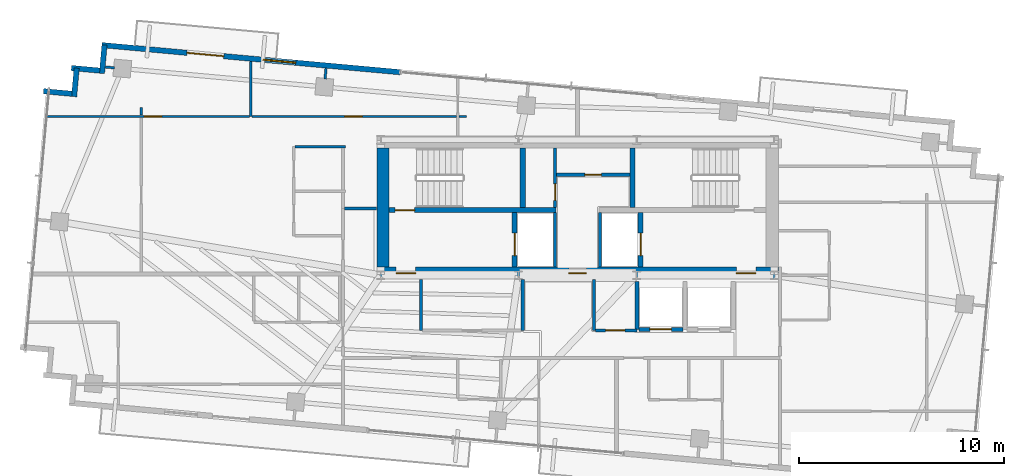
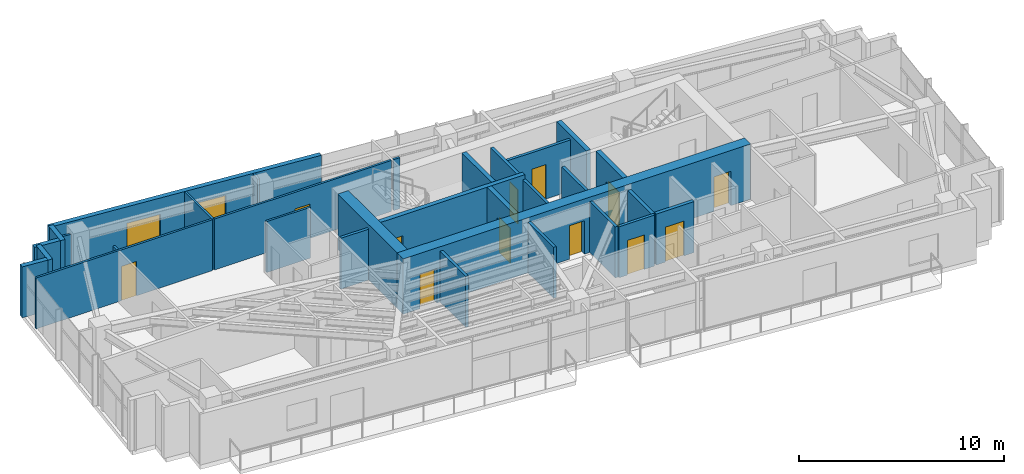
# One storey, part 17 of 22: 31 walls, 13 doors, 1 window, 14 openings.
"""IFC4 building model written with IfcOpenShell, lengths in metres."""

from ifc_helpers import new_model, si_unit, direction, frame, frame_2d, origin, place, context, subcontext, project, spatial, rectangle, extrude, source, transform, mapped, material, layer, layer_set, type_object, type_shapes, element, fill, save


model = new_model("IFC4")

# Units and contexts
model_context = context("Model", 3, precision=1e-05, world=origin(), true_north=direction((0.0, 1.0)))
body_context = subcontext(model_context, "Body", "Model", "MODEL_VIEW")
ifc_project = project(units=[si_unit("LENGTHUNIT", "METRE"), si_unit("AREAUNIT", "SQUARE_METRE"), si_unit("VOLUMEUNIT", "CUBIC_METRE"), si_unit("PLANEANGLEUNIT", "RADIAN"), si_unit("MASSUNIT", "GRAM", prefix="KILO")], contexts=[model_context])

# Site, building, storey
site_placement = place(None, origin())
site = spatial("IfcSite", under=ifc_project, at=site_placement, CompositionType="ELEMENT")
building_placement = place(site_placement, origin())
building = spatial("IfcBuilding", under=site, at=building_placement, Name="Astriad Promenade Condominiums", CompositionType="ELEMENT")
storey_placement = place(building_placement, frame((0.0, 0.0, 226.5)))
storey = spatial("IfcBuildingStorey", under=building, at=storey_placement, Name="L65", CompositionType="ELEMENT", Elevation=226.5)

# Wall, openings, doors
ifc_material_1 = material(Name="Concrete C50/60", Category="concrete")
ifc_layer_1 = layer(ifc_material_1, 0.60009765625)
ifc_layer_set_1 = layer_set([ifc_layer_1], Name="Concrete C50/60")
wall_type_1 = type_object("IfcWallType", Name="CW-SHEAR-600", PredefinedType="SHEAR", material=ifc_layer_set_1)
wall_1_placement = place(storey_placement, frame((26.199951171875, 17.5, 0.0), z_axis=(0.0, 0.0, 1.0), x_axis=(1.0, 0.0, 0.0)))
wall_1 = element("IfcWall", 1, at=wall_1_placement, inside=storey, type_object=wall_type_1, Name="CW-CORE-S-L65", PredefinedType="SHEAR", context=body_context, shape_type="SweptSolid", body=[
    extrude(rectangle(XDim=19.60009765625, YDim=0.60009765625, at=frame_2d((9.800048828125, 0.0))), origin(), (0.0, 0.0, 1.0), 3.300048828125),
])
opening_1_placement = place(wall_1_placement, frame((0.949951171875, 0.0, 0.0)))
opening_1 = element("IfcOpeningElement", 2, at=opening_1_placement, cuts=wall_1, Name="Opening FD90-ST-095", PredefinedType="OPENING", context=body_context, shape_type="SweptSolid", body=[
    extrude(rectangle(XDim=0.949951171875, YDim=2.06005859375, at=frame_2d((0.47509765625, 1.030029296875))), frame((0.0, 0.31005859375, 0.0), z_axis=(0.0, -1.0, 0.0), x_axis=(1.0, 0.0, 0.0)), (0.0, 0.0, 1.0), 0.6201171875),
])
opening_2_placement = place(wall_1_placement, frame((9.3798828125, 0.0, 0.0)))
opening_2 = element("IfcOpeningElement", 3, at=opening_2_placement, cuts=wall_1, Name="Opening FD60-ULOW-085", PredefinedType="OPENING", context=body_context, shape_type="SweptSolid", body=[
    extrude(rectangle(XDim=0.85009765625, YDim=2.0, at=frame_2d((0.425048828125, 1.0))), frame((0.0, 0.31005859375, 0.0), z_axis=(0.0, -1.0, 0.0), x_axis=(1.0, 0.0, 0.0)), (0.0, 0.0, 1.0), 0.6201171875),
])
opening_3_placement = place(wall_1_placement, frame((17.550048828125, 0.0, 0.0)))
opening_3 = element("IfcOpeningElement", 4, at=opening_3_placement, cuts=wall_1, Name="Opening FD90-ST-095", PredefinedType="OPENING", context=body_context, shape_type="SweptSolid", body=[
    extrude(rectangle(XDim=0.949951171875, YDim=2.06005859375, at=frame_2d((0.47509765625, 1.030029296875))), frame((0.0, 0.31005859375, 0.0), z_axis=(0.0, -1.0, 0.0), x_axis=(1.0, 0.0, 0.0)), (0.0, 0.0, 1.0), 0.6201171875),
])
ifc_material_2 = material(Name="Fire-Rated Hollow Metal Stair Door")
door_type_1 = type_object("IfcDoorType", Name="FD90-ST-095", OperationType="NOTDEFINED", PredefinedType="DOOR", material=ifc_material_2)
shared_shape_1 = source(origin(), body_context, "Body", "SweptSolid", [
    extrude(rectangle(XDim=0.949951171875, YDim=2.06005859375, at=frame_2d((0.47509765625, 1.030029296875))), frame((0.0, 0.02490234375, 0.0), z_axis=(0.0, -1.0, 0.0), x_axis=(1.0, 0.0, 0.0)), (0.0, 0.0, 1.0), 0.050048828125),
])
type_shapes(door_type_1, [shared_shape_1])
door_1_placement = place(opening_1_placement, origin())
door_1 = element("IfcDoor", 5, at=door_1_placement, inside=storey, type_object=door_type_1, Name="D-FFW-L65", OperationType="SINGLE_SWING_LEFT", OverallHeight=2.06005859375, OverallWidth=0.949951171875, PredefinedType="DOOR", context=body_context, shape_type="MappedRepresentation", body=[
    mapped(shared_shape_1, transform((0.0, 0.0, 0.0), scale=1.0)),
])
fill(opening_1, door_1)
door_2_placement = place(opening_3_placement, origin())
door_2 = element("IfcDoor", 6, at=door_2_placement, inside=storey, type_object=door_type_1, Name="D-FFE-L65", OperationType="SINGLE_SWING_RIGHT", OverallHeight=2.06005859375, OverallWidth=0.949951171875, PredefinedType="DOOR", context=body_context, shape_type="MappedRepresentation", body=[
    mapped(shared_shape_1, transform((0.0, 0.0, 0.0), scale=1.0)),
])
fill(opening_3, door_2)
ifc_material_3 = material(Name="Solid-Core Low-Headroom Fire Door")
door_type_2 = type_object("IfcDoorType", Name="FD60-ULOW-085", OperationType="NOTDEFINED", PredefinedType="DOOR", material=ifc_material_3)
shared_shape_2 = source(origin(), body_context, "Body", "SweptSolid", [
    extrude(rectangle(XDim=0.85009765625, YDim=2.0, at=frame_2d((0.425048828125, 1.0))), frame((0.0, 0.02490234375, 0.0), z_axis=(0.0, -1.0, 0.0), x_axis=(1.0, 0.0, 0.0)), (0.0, 0.0, 1.0), 0.050048828125),
])
type_shapes(door_type_2, [shared_shape_2])
door_3_placement = place(opening_2_placement, origin())
door_3 = element("IfcDoor", 7, at=door_3_placement, inside=storey, type_object=door_type_2, Name="D-CSL-L65", OperationType="SINGLE_SWING_RIGHT", OverallHeight=2.0, OverallWidth=0.85009765625, PredefinedType="DOOR", context=body_context, shape_type="MappedRepresentation", body=[
    mapped(shared_shape_2, transform((0.0, 0.0, 0.0), scale=1.0)),
])
fill(opening_2, door_3)

# Wall
wall_2_placement = place(storey_placement, frame((26.5, 17.802001953125, 0.0), z_axis=(0.0, 0.0, 1.0), x_axis=(0.0, 1.0, 0.0)))
element("IfcWall", 8, at=wall_2_placement, inside=storey, type_object=wall_type_1, Name="CW-CORE-W-L65", PredefinedType="SHEAR", context=body_context, shape_type="SweptSolid", body=[
    extrude(rectangle(XDim=5.7958984375, YDim=0.60009765625, at=frame_2d((2.89794921875, 0.0))), origin(), (0.0, 0.0, 1.0), 3.300048828125),
])

# Wall, opening, door
ifc_layer_2 = layer(ifc_material_1, 0.25)
ifc_layer_set_2 = layer_set([ifc_layer_2], Name="Concrete C50/60")
wall_type_2 = type_object("IfcWallType", Name="WALL-CORE-INT-250", PredefinedType="SOLIDWALL", material=ifc_layer_set_2)
wall_3_placement = place(storey_placement, frame((26.802001953125, 20.574951171875, 0.0), z_axis=(0.0, 0.0, 1.0), x_axis=(1.0, 0.0, 0.0)))
wall_3 = element("IfcWall", 9, at=wall_3_placement, inside=storey, type_object=wall_type_2, Name="CW-INT-H1-L65", PredefinedType="SOLIDWALL", context=body_context, shape_type="SweptSolid", body=[
    extrude(rectangle(XDim=8.14794921875, YDim=0.25, at=frame_2d((4.073974609375, 0.0))), origin(), (0.0, 0.0, 1.0), 3.300048828125),
])
opening_4_placement = place(wall_3_placement, frame((0.298095703125, 0.0, 0.0)))
opening_4 = element("IfcOpeningElement", 10, at=opening_4_placement, cuts=wall_3, Name="Opening FD90-ST-095", PredefinedType="OPENING", context=body_context, shape_type="SweptSolid", body=[
    extrude(rectangle(XDim=0.949951171875, YDim=2.06005859375, at=frame_2d((0.47509765625, 1.030029296875))), frame((0.0, 0.135009765625, 0.0), z_axis=(0.0, -1.0, 0.0), x_axis=(1.0, 0.0, 0.0)), (0.0, 0.0, 1.0), 0.27001953125),
])
door_4_placement = place(opening_4_placement, origin())
door_4 = element("IfcDoor", 11, at=door_4_placement, inside=storey, type_object=door_type_1, Name="D-ST1-L65", OperationType="SINGLE_SWING_LEFT", OverallHeight=2.06005859375, OverallWidth=0.949951171875, PredefinedType="DOOR", context=body_context, shape_type="MappedRepresentation", body=[
    mapped(shared_shape_1, transform((0.0, 0.0, 0.0), scale=1.0)),
])
fill(opening_4, door_4)

# Walls
for number, where, z_axis, x_axis, name in (
    (12, (33.324951171875, 20.701904296875, 0.0), (0.0, 0.0, 1.0), (0.0, 1.0, 0.0), "CW-ST1-E-L65"),
    (13, (38.675048828125, 20.701904296875, 0.0), (0.0, 0.0, 1.0), (0.0, 1.0, 0.0), "CW-ST2-W-L65"),
):
    element("IfcWall", number, at=place(storey_placement, frame(where, z_axis=z_axis, x_axis=x_axis)), inside=storey, type_object=wall_type_2, Name=name, PredefinedType="SOLIDWALL", context=body_context, shape_type="SweptSolid", body=[
        extrude(rectangle(XDim=2.89599609375, YDim=0.25, at=frame_2d((1.447998046875, 0.0))), origin(), (0.0, 0.0, 1.0), 3.300048828125),
    ])

# Wall, opening, door
wall_4_placement = place(storey_placement, frame((32.925048828125, 17.802001953125, 0.0), z_axis=(0.0, 0.0, 1.0), x_axis=(0.0, 1.0, 0.0)))
wall_4 = element("IfcWall", 14, at=wall_4_placement, inside=storey, type_object=wall_type_2, Name="CW-FFL1-W-L65", PredefinedType="SOLIDWALL", context=body_context, shape_type="SweptSolid", body=[
    extrude(rectangle(XDim=2.64599609375, YDim=0.25, at=frame_2d((1.322998046875, 0.0))), origin(), (0.0, 0.0, 1.0), 3.300048828125),
])
opening_5_placement = place(wall_4_placement, frame((0.548095703125, 0.0, 0.0)))
opening_5 = element("IfcOpeningElement", 15, at=opening_5_placement, cuts=wall_4, Name="Opening LD-FFL-1122", PredefinedType="OPENING", context=body_context, shape_type="SweptSolid", body=[
    extrude(rectangle(XDim=1.10009765625, YDim=2.080078125, at=frame_2d((0.550048828125, 1.0400390625))), frame((0.0, 0.135009765625, 0.0), z_axis=(0.0, -1.0, 0.0), x_axis=(1.0, 0.0, 0.0)), (0.0, 0.0, 1.0), 0.27001953125),
])
ifc_material_4 = material(Name="Brushed Stainless Steel Fire Elevator Landing Door", Category="steel")
door_type_3 = type_object("IfcDoorType", Name="LD-FFL-1122", OperationType="NOTDEFINED", PredefinedType="DOOR", material=ifc_material_4)
shared_shape_3 = source(origin(), body_context, "Body", "SweptSolid", [
    extrude(rectangle(XDim=1.10009765625, YDim=2.080078125, at=frame_2d((0.550048828125, 1.0400390625))), frame((0.0, 0.02490234375, 0.0), z_axis=(0.0, -1.0, 0.0), x_axis=(1.0, 0.0, 0.0)), (0.0, 0.0, 1.0), 0.050048828125),
])
type_shapes(door_type_3, [shared_shape_3])
door_5_placement = place(opening_5_placement, origin())
door_5 = element("IfcDoor", 16, at=door_5_placement, inside=storey, type_object=door_type_3, Name="Elevator Landing Door FFL-1 (L65)", OperationType="SLIDING_TO_LEFT", OverallHeight=2.080078125, OverallWidth=1.10009765625, PredefinedType="DOOR", context=body_context, shape_type="MappedRepresentation", body=[
    mapped(shared_shape_3, transform((0.0, 0.0, 0.0), scale=1.0)),
])
fill(opening_5, door_5)

wall_5_placement = place(storey_placement, frame((39.074951171875, 17.802001953125, 0.0), z_axis=(0.0, 0.0, 1.0), x_axis=(0.0, 1.0, 0.0)))
wall_5 = element("IfcWall", 17, at=wall_5_placement, inside=storey, type_object=wall_type_2, Name="CW-FFL2-E-L65", PredefinedType="SOLIDWALL", context=body_context, shape_type="SweptSolid", body=[
    extrude(rectangle(XDim=2.64599609375, YDim=0.25, at=frame_2d((1.322998046875, 0.0))), origin(), (0.0, 0.0, 1.0), 3.300048828125),
])
opening_6_placement = place(wall_5_placement, frame((0.548095703125, 0.0, 0.0)))
opening_6 = element("IfcOpeningElement", 18, at=opening_6_placement, cuts=wall_5, Name="Opening LD-FFL-1122", PredefinedType="OPENING", context=body_context, shape_type="SweptSolid", body=[
    extrude(rectangle(XDim=1.10009765625, YDim=2.080078125, at=frame_2d((0.550048828125, 1.0400390625))), frame((0.0, 0.135009765625, 0.0), z_axis=(0.0, -1.0, 0.0), x_axis=(1.0, 0.0, 0.0)), (0.0, 0.0, 1.0), 0.27001953125),
])
door_6_placement = place(opening_6_placement, origin())
door_6 = element("IfcDoor", 19, at=door_6_placement, inside=storey, type_object=door_type_3, Name="Elevator Landing Door FFL-2 (L65)", OperationType="SLIDING_TO_RIGHT", OverallHeight=2.080078125, OverallWidth=1.10009765625, PredefinedType="DOOR", context=body_context, shape_type="MappedRepresentation", body=[
    mapped(shared_shape_3, transform((0.0, 0.0, 0.0), scale=1.0)),
])
fill(opening_6, door_6)

# Walls
ifc_material_5 = material(Name="Fire-Rated Gypsum Partition")
ifc_layer_3 = layer(ifc_material_5, 0.159912109375)
ifc_layer_set_3 = layer_set([ifc_layer_3], Name="Fire-Rated Gypsum Partition")
wall_type_3 = type_object("IfcWallType", Name="WALL-CORR-160", PredefinedType="PARTITIONING", material=ifc_layer_set_3)
for number, where, z_axis, x_axis, name in (
    (20, (34.89990234375, 17.802001953125, 0.0), (0.0, 0.0, 1.0), (0.0, 1.0, 0.0), "CW-FFL1-E-L65"),
    (21, (37.10009765625, 17.802001953125, 0.0), (0.0, 0.0, 1.0), (0.0, 1.0, 0.0), "CW-FFL2-W-L65"),
):
    element("IfcWall", number, at=place(storey_placement, frame(where, z_axis=z_axis, x_axis=x_axis)), inside=storey, type_object=wall_type_3, Name=name, PredefinedType="PARTITIONING", context=body_context, shape_type="SweptSolid", body=[
        extrude(rectangle(XDim=2.64599609375, YDim=0.159912109375, at=frame_2d((1.322998046875, 0.0))), origin(), (0.0, 0.0, 1.0), 3.0400390625),
    ])

# Wall, opening, door
wall_6_placement = place(storey_placement, frame((34.89990234375, 20.701904296875, 0.0), z_axis=(0.0, 0.0, 1.0), x_axis=(0.0, 1.0, 0.0)))
wall_6 = element("IfcWall", 22, at=wall_6_placement, inside=storey, type_object=wall_type_3, Name="CW-AUX-W-L65", PredefinedType="PARTITIONING", context=body_context, shape_type="SweptSolid", body=[
    extrude(rectangle(XDim=2.89599609375, YDim=0.159912109375, at=frame_2d((1.447998046875, 0.0))), origin(), (0.0, 0.0, 1.0), 3.0400390625),
])
opening_7_placement = place(wall_6_placement, frame((0.347900390625, 0.0, 0.0)))
opening_7 = element("IfcOpeningElement", 23, at=opening_7_placement, cuts=wall_6, Name="Opening FD60-SV-080", PredefinedType="OPENING", context=body_context, shape_type="SweptSolid", body=[
    extrude(rectangle(XDim=0.800048828125, YDim=2.050048828125, at=frame_2d((0.39990234375, 1.02490234375))), frame((0.0, 0.08984375, 0.0), z_axis=(0.0, -1.0, 0.0), x_axis=(1.0, 0.0, 0.0)), (0.0, 0.0, 1.0), 0.179931640625),
])
ifc_material_6 = material(Name="Fire-Rated Riser Closet Door")
door_type_4 = type_object("IfcDoorType", Name="FD60-SV-080", OperationType="NOTDEFINED", PredefinedType="DOOR", material=ifc_material_6)
shared_shape_4 = source(origin(), body_context, "Body", "SweptSolid", [
    extrude(rectangle(XDim=0.800048828125, YDim=2.050048828125, at=frame_2d((0.39990234375, 1.02490234375))), frame((0.0, 0.02490234375, 0.0), z_axis=(0.0, -1.0, 0.0), x_axis=(1.0, 0.0, 0.0)), (0.0, 0.0, 1.0), 0.050048828125),
])
type_shapes(door_type_4, [shared_shape_4])
door_7_placement = place(opening_7_placement, origin())
door_7 = element("IfcDoor", 24, at=door_7_placement, inside=storey, type_object=door_type_4, Name="D-AUX1-L65", OperationType="SINGLE_SWING_LEFT", OverallHeight=2.050048828125, OverallWidth=0.800048828125, PredefinedType="DOOR", context=body_context, shape_type="MappedRepresentation", body=[
    mapped(shared_shape_4, transform((0.0, 0.0, 0.0), scale=1.0)),
])
fill(opening_7, door_7)

wall_7_placement = place(storey_placement, frame((34.98193359375, 22.300048828125, 0.0), z_axis=(0.0, 0.0, 1.0), x_axis=(1.0, 0.0, 0.0)))
wall_7 = element("IfcWall", 25, at=wall_7_placement, inside=storey, type_object=wall_type_3, Name="CW-AUX-N-L65", PredefinedType="PARTITIONING", context=body_context, shape_type="SweptSolid", body=[
    extrude(rectangle(XDim=3.566162109375, YDim=0.159912109375, at=frame_2d((1.783203125, 0.0))), origin(), (0.0, 0.0, 1.0), 3.0400390625),
])
opening_8_placement = place(wall_7_placement, frame((1.3779296875, 0.0, 0.0)))
opening_8 = element("IfcOpeningElement", 26, at=opening_8_placement, cuts=wall_7, Name="Opening FD60-SV-080", PredefinedType="OPENING", context=body_context, shape_type="SweptSolid", body=[
    extrude(rectangle(XDim=0.800048828125, YDim=2.050048828125, at=frame_2d((0.39990234375, 1.02490234375))), frame((0.0, 0.08984375, 0.0), z_axis=(0.0, -1.0, 0.0), x_axis=(1.0, 0.0, 0.0)), (0.0, 0.0, 1.0), 0.179931640625),
])
door_8_placement = place(opening_8_placement, origin())
door_8 = element("IfcDoor", 27, at=door_8_placement, inside=storey, type_object=door_type_4, Name="D-AUX2-L65", OperationType="SINGLE_SWING_RIGHT", OverallHeight=2.050048828125, OverallWidth=0.800048828125, PredefinedType="DOOR", context=body_context, shape_type="MappedRepresentation", body=[
    mapped(shared_shape_4, transform((0.0, 0.0, 0.0), scale=1.0)),
])
fill(opening_8, door_8)

# Walls
wall_8_placement = place(storey_placement, frame((24.632080078125, 20.64990234375, 0.0), z_axis=(0.0, 0.0, 1.0), x_axis=(1.0, 0.0, 0.0)))
element("IfcWall", 28, at=wall_8_placement, inside=storey, type_object=wall_type_3, Name="PT-Z3W-N-L65", PredefinedType="PARTITIONING", context=body_context, shape_type="SweptSolid", body=[
    extrude(rectangle(XDim=1.56591796875, YDim=0.159912109375, at=frame_2d((0.782958984375, 0.0))), origin(), (0.0, 0.0, 1.0), 3.0400390625),
])
for number, where, z_axis, x_axis, name in (
    (29, (28.360107421875, 14.699951171875, 0.0), (0.0, 0.0, 1.0), (0.0, 1.0, 0.0), "PT-Z3REC-W-L65"),
    (30, (33.320068359375, 14.699951171875, 0.0), (0.0, 0.0, 1.0), (0.0, 1.0, 0.0), "PT-Z3REC-E-L65"),
    (31, (36.800048828125, 14.699951171875, 0.0), (0.0, 0.0, 1.0), (0.0, 1.0, 0.0), "PT-Z3R2-W-L65"),
):
    element("IfcWall", number, at=place(storey_placement, frame(where, z_axis=z_axis, x_axis=x_axis)), inside=storey, type_object=wall_type_3, Name=name, PredefinedType="PARTITIONING", context=body_context, shape_type="SweptSolid", body=[
        extrude(rectangle(XDim=2.498046875, YDim=0.159912109375, at=frame_2d((1.2490234375, 0.0))), origin(), (0.0, 0.0, 1.0), 3.0400390625),
    ])

# Wall, opening, door
wall_9_placement = place(storey_placement, frame((36.882080078125, 14.699951171875, 0.0), z_axis=(0.0, 0.0, 1.0), x_axis=(1.0, 0.0, 0.0)))
wall_9 = element("IfcWall", 32, at=wall_9_placement, inside=storey, type_object=wall_type_3, Name="PT-Z3R2-S-L65", PredefinedType="PARTITIONING", context=body_context, shape_type="SweptSolid", body=[
    extrude(rectangle(XDim=2.017822265625, YDim=0.159912109375, at=frame_2d((1.0087890625, 0.0))), origin(), (0.0, 0.0, 1.0), 3.0400390625),
])
opening_9_placement = place(wall_9_placement, frame((0.48291015625, 0.0, 0.0)))
opening_9 = element("IfcOpeningElement", 33, at=opening_9_placement, cuts=wall_9, Name="Opening FD60-APT-095", PredefinedType="OPENING", context=body_context, shape_type="SweptSolid", body=[
    extrude(rectangle(XDim=0.949951171875, YDim=2.06005859375, at=frame_2d((0.47509765625, 1.030029296875))), frame((0.0, 0.08984375, 0.0), z_axis=(0.0, -1.0, 0.0), x_axis=(1.0, 0.0, 0.0)), (0.0, 0.0, 1.0), 0.179931640625),
])
ifc_material_7 = material(Name="Solid-Core Acoustic Timber Residence Entry Door", Category="wood")
door_type_5 = type_object("IfcDoorType", Name="FD60-APT-095", OperationType="NOTDEFINED", PredefinedType="DOOR", material=ifc_material_7)
shared_shape_5 = source(origin(), body_context, "Body", "SweptSolid", [
    extrude(rectangle(XDim=0.949951171875, YDim=2.06005859375, at=frame_2d((0.47509765625, 1.030029296875))), frame((0.0, 0.02490234375, 0.0), z_axis=(0.0, -1.0, 0.0), x_axis=(1.0, 0.0, 0.0)), (0.0, 0.0, 1.0), 0.050048828125),
])
type_shapes(door_type_5, [shared_shape_5])
door_9_placement = place(opening_9_placement, origin())
door_9 = element("IfcDoor", 34, at=door_9_placement, inside=storey, type_object=door_type_5, Name="D-Z3N-L65", OperationType="SINGLE_SWING_LEFT", OverallHeight=2.06005859375, OverallWidth=0.949951171875, PredefinedType="DOOR", context=body_context, shape_type="MappedRepresentation", body=[
    mapped(shared_shape_5, transform((0.0, 0.0, 0.0), scale=1.0)),
])
fill(opening_9, door_9)

# Walls
ifc_material_8 = material(Name="Precast concrete C50/60", Category="concrete")
ifc_layer_4 = layer(ifc_material_8, 0.260009765625)
ifc_layer_set_4 = layer_set([ifc_layer_4], Name="Precast concrete C50/60")
wall_type_4 = type_object("IfcWallType", Name="WALL-EXT-TWR-260", PredefinedType="STANDARD", material=ifc_layer_set_4)
for number, where, z_axis, x_axis, name in (
    (35, (9.93505859375, 26.376708984375, 0.0), (0.0, 0.0, 1.0), (0.995881721538, -0.090661991521, 0.0), "W-SER-L65-04"),
    (36, (11.427001953125, 26.110595703125, 0.0), (0.0, 0.0, 1.0), (0.090835571917, 0.995865904063, 0.0), "W-SER-L65-05"),
):
    element("IfcWall", number, at=place(storey_placement, frame(where, z_axis=z_axis, x_axis=x_axis)), inside=storey, type_object=wall_type_4, Name=name, PredefinedType="STANDARD", context=body_context, shape_type="SweptSolid", body=[
        extrude(rectangle(XDim=1.39501953125, YDim=0.260009765625, at=frame_2d((0.697509765625, 0.0))), origin(), (0.0, 0.0, 1.0), 3.0400390625),
    ])
wall_10_placement = place(storey_placement, frame((11.293212890625, 27.50830078125, 0.0), z_axis=(0.0, 0.0, 1.0), x_axis=(0.995883159782, -0.090646191665, 0.0)))
element("IfcWall", 37, at=wall_10_placement, inside=storey, type_object=wall_type_4, Name="W-SER-L65-06", PredefinedType="STANDARD", context=body_context, shape_type="SweptSolid", body=[
    extrude(rectangle(XDim=1.395263671875, YDim=0.260009765625, at=frame_2d((0.69775390625, 0.0))), origin(), (0.0, 0.0, 1.0), 3.0400390625),
])
wall_11_placement = place(storey_placement, frame((12.785400390625, 27.241943359375, 0.0), z_axis=(0.0, 0.0, 1.0), x_axis=(0.090472632758, 0.995898942023, 0.0)))
element("IfcWall", 38, at=wall_11_placement, inside=storey, type_object=wall_type_4, Name="W-SER-L65-07", PredefinedType="STANDARD", context=body_context, shape_type="SweptSolid", body=[
    extrude(rectangle(XDim=1.39501953125, YDim=0.260009765625, at=frame_2d((0.697509765625, 0.0))), origin(), (0.0, 0.0, 1.0), 3.0400390625),
])

# Wall, openings, door, window
wall_12_placement = place(storey_placement, frame((12.78076171875, 28.628173828125, 0.0), z_axis=(0.0, 0.0, 1.0), x_axis=(0.995884584572, -0.090630536861, 0.0)))
wall_12 = element("IfcWall", 39, at=wall_12_placement, inside=storey, type_object=wall_type_4, Name="W-EXT-L65-N1", PredefinedType="STANDARD", context=body_context, shape_type="SweptSolid", body=[
    extrude(rectangle(XDim=14.630126953125, YDim=0.260009765625, at=frame_2d((7.31494140625, 0.0))), origin(), (0.0, 0.0, 1.0), 3.0400390625),
])
opening_10_placement = place(wall_12_placement, frame((4.173095703125, 0.0, 0.0)))
opening_10 = element("IfcOpeningElement", 40, at=opening_10_placement, cuts=wall_12, Name="Opening BD-1822-SLD", PredefinedType="OPENING", context=body_context, shape_type="SweptSolid", body=[
    extrude(rectangle(XDim=1.800048828125, YDim=2.06005859375, at=frame_2d((0.89990234375, 1.030029296875))), frame((0.0, 0.139892578125, 0.0), z_axis=(0.0, -1.0, 0.0), x_axis=(1.0, 0.0, 0.0)), (0.0, 0.0, 1.0), 0.280029296875),
])
opening_11_placement = place(wall_12_placement, frame((7.89990234375, 0.0, 0.64990234375)))
opening_11 = element("IfcOpeningElement", 41, at=opening_11_placement, cuts=wall_12, Name="Opening WIN-TWR-1620", PredefinedType="OPENING", context=body_context, shape_type="SweptSolid", body=[
    extrude(rectangle(XDim=1.60009765625, YDim=1.5, at=frame_2d((0.800048828125, 0.75))), frame((0.0, 0.139892578125, 0.0), z_axis=(0.0, -1.0, 0.0), x_axis=(1.0, 0.0, 0.0)), (0.0, 0.0, 1.0), 0.280029296875),
])
ifc_material_9 = material(Name="Thermally Broken Aluminium Sliding Balcony Door", Category="aluminium")
door_type_6 = type_object("IfcDoorType", Name="BD-1822-SLD", OperationType="NOTDEFINED", PredefinedType="DOOR", material=ifc_material_9)
shared_shape_6 = source(origin(), body_context, "Body", "SweptSolid", [
    extrude(rectangle(XDim=1.800048828125, YDim=2.06005859375, at=frame_2d((0.89990234375, 1.030029296875))), frame((0.0, 0.02490234375, 0.0), z_axis=(0.0, -1.0, 0.0), x_axis=(1.0, 0.0, 0.0)), (0.0, 0.0, 1.0), 0.050048828125),
])
type_shapes(door_type_6, [shared_shape_6])
door_10_placement = place(opening_10_placement, origin())
door_10 = element("IfcDoor", 42, at=door_10_placement, inside=storey, type_object=door_type_6, Name="BD-L65-NW", OperationType="SLIDING_TO_LEFT", OverallHeight=2.06005859375, OverallWidth=1.800048828125, PredefinedType="DOOR", context=body_context, shape_type="MappedRepresentation", body=[
    mapped(shared_shape_6, transform((0.0, 0.0, 0.0), scale=1.0)),
])
fill(opening_10, door_10)
ifc_material_10 = material(Name="Dark Tinted Triple-Glazed Aluminium Window", Category="aluminium")
window_type = type_object("IfcWindowType", Name="WIN-TWR-1620", PartitioningType="SINGLE_PANEL", PredefinedType="WINDOW", material=ifc_material_10)
shared_shape_7 = source(origin(), body_context, "Body", "SweptSolid", [
    extrude(rectangle(XDim=1.60009765625, YDim=1.5, at=frame_2d((0.800048828125, 0.75))), frame((0.0, 0.030029296875, 0.0), z_axis=(0.0, -1.0, 0.0), x_axis=(1.0, 0.0, 0.0)), (0.0, 0.0, 1.0), 0.06005859375),
])
type_shapes(window_type, [shared_shape_7])
window_placement = place(opening_11_placement, origin())
window = element("IfcWindow", 43, at=window_placement, inside=storey, type_object=window_type, Name="WIN-L65-NW", OverallHeight=1.5, OverallWidth=1.60009765625, PartitioningType="SINGLE_PANEL", PredefinedType="WINDOW", context=body_context, shape_type="MappedRepresentation", body=[
    mapped(shared_shape_7, transform((0.0, 0.0, 0.0), scale=1.0)),
])
fill(opening_11, window)

# Walls
ifc_material_11 = material(Name="Acoustic Metal-Stud Gypsum Partition")
ifc_layer_5 = layer(ifc_material_11, 0.1201171875)
ifc_layer_set_5 = layer_set([ifc_layer_5], Name="Acoustic Metal-Stud Gypsum Partition")
wall_type_5 = type_object("IfcWallType", Name="WALL-PART-120", PredefinedType="PARTITIONING", material=ifc_layer_set_5)
wall_13_placement = place(storey_placement, frame((22.2119140625, 23.669921875, 0.0), z_axis=(0.0, 0.0, 1.0), x_axis=(1.0, 0.0, 0.0)))
element("IfcWall", 44, at=wall_13_placement, inside=storey, type_object=wall_type_5, Name="PT-L65-W2-PN", PredefinedType="PARTITIONING", context=body_context, shape_type="SweptSolid", body=[
    extrude(rectangle(XDim=2.4580078125, YDim=0.1201171875, at=frame_2d((1.22900390625, 0.0))), origin(), (0.0, 0.0, 1.0), 3.0400390625),
])
wall_14_placement = place(storey_placement, frame((20.044921875, 25.14208984375, 0.0), z_axis=(0.0, 0.0, 1.0), x_axis=(0.0, 1.0, 0.0)))
element("IfcWall", 45, at=wall_14_placement, inside=storey, type_object=wall_type_5, Name="PT-L65-W2-B1M", PredefinedType="PARTITIONING", context=body_context, shape_type="SweptSolid", body=[
    extrude(rectangle(XDim=2.6923828125, YDim=0.1201171875, at=frame_2d((1.34619140625, 0.0))), origin(), (0.0, 0.0, 1.0), 3.0400390625),
])

# Wall, opening, door
wall_15_placement = place(storey_placement, frame((10.03369140625, 25.14208984375, 0.0), z_axis=(0.0, 0.0, 1.0), x_axis=(1.0, 0.0, 0.0)))
wall_15 = element("IfcWall", 46, at=wall_15_placement, inside=storey, type_object=wall_type_5, Name="PT-L65-W2-B1", PredefinedType="PARTITIONING", context=body_context, shape_type="SweptSolid", body=[
    extrude(rectangle(XDim=9.94921875, YDim=0.1201171875, at=frame_2d((4.974609375, 0.0))), origin(), (0.0, 0.0, 1.0), 3.0400390625),
])
opening_12_placement = place(wall_15_placement, frame((4.8134765625, 0.0, 0.0)))
opening_12 = element("IfcOpeningElement", 47, at=opening_12_placement, cuts=wall_15, Name="Opening D-INT-085", PredefinedType="OPENING", context=body_context, shape_type="SweptSolid", body=[
    extrude(rectangle(XDim=0.85009765625, YDim=2.050048828125, at=frame_2d((0.425048828125, 1.02490234375))), frame((0.0, 0.070068359375, 0.0), z_axis=(0.0, -1.0, 0.0), x_axis=(1.0, 0.0, 0.0)), (0.0, 0.0, 1.0), 0.14013671875),
])
ifc_material_12 = material(Name="Painted Solid-Core Timber Room Door", Category="wood")
door_type_7 = type_object("IfcDoorType", Name="D-INT-085", OperationType="NOTDEFINED", PredefinedType="DOOR", material=ifc_material_12)
shared_shape_8 = source(origin(), body_context, "Body", "SweptSolid", [
    extrude(rectangle(XDim=0.85009765625, YDim=2.050048828125, at=frame_2d((0.425048828125, 1.02490234375))), frame((0.0, 0.02490234375, 0.0), z_axis=(0.0, -1.0, 0.0), x_axis=(1.0, 0.0, 0.0)), (0.0, 0.0, 1.0), 0.050048828125),
])
type_shapes(door_type_7, [shared_shape_8])
door_11_placement = place(opening_12_placement, origin())
door_11 = element("IfcDoor", 48, at=door_11_placement, inside=storey, type_object=door_type_7, Name="D-BD1-L65-W2", OperationType="SINGLE_SWING_RIGHT", OverallHeight=2.050048828125, OverallWidth=0.85009765625, PredefinedType="DOOR", context=body_context, shape_type="MappedRepresentation", body=[
    mapped(shared_shape_8, transform((0.0, 0.0, 0.0), scale=1.0)),
])
fill(opening_12, door_11)

wall_16_placement = place(storey_placement, frame((20.10693359375, 25.14208984375, 0.0), z_axis=(0.0, 0.0, 1.0), x_axis=(1.0, 0.0, 0.0)))
wall_16 = element("IfcWall", 49, at=wall_16_placement, inside=storey, type_object=wall_type_5, Name="PT-L65-W2-B1-S2", PredefinedType="PARTITIONING", context=body_context, shape_type="SweptSolid", body=[
    extrude(rectangle(XDim=9.98095703125, YDim=0.1201171875, at=frame_2d((4.990478515625, 0.0))), origin(), (0.0, 0.0, 1.0), 3.0400390625),
])
opening_13_placement = place(wall_16_placement, frame((4.52587890625, 0.0, 0.0)))
opening_13 = element("IfcOpeningElement", 50, at=opening_13_placement, cuts=wall_16, Name="Opening D-INT-085", PredefinedType="OPENING", context=body_context, shape_type="SweptSolid", body=[
    extrude(rectangle(XDim=0.85009765625, YDim=2.050048828125, at=frame_2d((0.425048828125, 1.02490234375))), frame((0.0, 0.070068359375, 0.0), z_axis=(0.0, -1.0, 0.0), x_axis=(1.0, 0.0, 0.0)), (0.0, 0.0, 1.0), 0.14013671875),
])
door_12_placement = place(opening_13_placement, origin())
door_12 = element("IfcDoor", 51, at=door_12_placement, inside=storey, type_object=door_type_7, Name="D-BD1B-L65-W2", OperationType="SINGLE_SWING_LEFT", OverallHeight=2.050048828125, OverallWidth=0.85009765625, PredefinedType="DOOR", context=body_context, shape_type="MappedRepresentation", body=[
    mapped(shared_shape_8, transform((0.0, 0.0, 0.0), scale=1.0)),
])
fill(opening_13, door_12)

# Walls
wall_17_placement = place(storey_placement, frame((30.2119140625, 25.14208984375, 0.0), z_axis=(0.0, 0.0, 1.0), x_axis=(1.0, 0.0, 0.0)))
element("IfcWall", 52, at=wall_17_placement, inside=storey, type_object=wall_type_5, Name="PT-L65-W2-B1-S3", PredefinedType="PARTITIONING", context=body_context, shape_type="SweptSolid", body=[
    extrude(rectangle(XDim=0.358154296875, YDim=0.1201171875, at=frame_2d((0.17919921875, 0.0))), origin(), (0.0, 0.0, 1.0), 3.0400390625),
])
wall_18_placement = place(storey_placement, frame((14.7099609375, 25.2041015625, 0.0), z_axis=(0.0, 0.0, 1.0), x_axis=(0.0, 1.0, 0.0)))
element("IfcWall", 53, at=wall_18_placement, inside=storey, type_object=wall_type_5, Name="PT-L65-W2-WDV1-S2", PredefinedType="PARTITIONING", context=body_context, shape_type="SweptSolid", body=[
    extrude(rectangle(XDim=0.3779296875, YDim=0.1201171875, at=frame_2d((0.18896484375, 0.0))), origin(), (0.0, 0.0, 1.0), 3.0400390625),
])
wall_19_placement = place(storey_placement, frame((13.40283203125, 27.51708984375, 0.0), z_axis=(0.0, 0.0, 1.0), x_axis=(-0.995884462012, 0.090631883588, 0.0)))
element("IfcWall", 54, at=wall_19_placement, inside=storey, type_object=wall_type_5, Name="PT-PIL-L65-PC06-13", PredefinedType="PARTITIONING", context=body_context, shape_type="SweptSolid", body=[
    extrude(rectangle(XDim=0.4580078125, YDim=0.1201171875, at=frame_2d((0.22900390625, 0.0))), origin(), (0.0, 0.0, 1.0), 3.0400390625),
])
wall_20_placement = place(storey_placement, frame((23.6748046875, 26.9638671875, 0.0), z_axis=(0.0, 0.0, 1.0), x_axis=(0.090740281653, 0.995874591144, 0.0)))
element("IfcWall", 55, at=wall_20_placement, inside=storey, type_object=wall_type_5, Name="PT-PIL-L65-PC07-14", PredefinedType="PARTITIONING", context=body_context, shape_type="SweptSolid", body=[
    extrude(rectangle(XDim=0.5380859375, YDim=0.1201171875, at=frame_2d((0.26904296875, 0.0))), origin(), (0.0, 0.0, 1.0), 3.0400390625),
])
ifc_material_13 = material(Name="Gypsum Shaftliner Assembly")
ifc_layer_6 = layer(ifc_material_13, 0.199951171875)
ifc_layer_set_6 = layer_set([ifc_layer_6], Name="Gypsum Shaftliner Assembly")
wall_type_6 = type_object("IfcWallType", Name="WALL-SHAFT-200", PredefinedType="PARTITIONING", material=ifc_layer_set_6)
wall_21_placement = place(storey_placement, frame((38.89990234375, 14.75, 0.0), z_axis=(0.0, 0.0, 1.0), x_axis=(0.0, 1.0, 0.0)))
element("IfcWall", 56, at=wall_21_placement, inside=storey, type_object=wall_type_6, Name="PL-MH-DIV-L65", PredefinedType="PARTITIONING", context=body_context, shape_type="SweptSolid", body=[
    extrude(rectangle(XDim=2.35009765625, YDim=0.199951171875, at=frame_2d((1.175048828125, 0.0))), origin(), (0.0, 0.0, 1.0), 3.0400390625),
])

# Wall, opening, door
wall_22_placement = place(storey_placement, frame((39.001953125, 14.75, 0.0), z_axis=(0.0, 0.0, 1.0), x_axis=(1.0, 0.0, 0.0)))
wall_22 = element("IfcWall", 57, at=wall_22_placement, inside=storey, type_object=wall_type_6, Name="PL-H-FRT-L65", PredefinedType="PARTITIONING", context=body_context, shape_type="SweptSolid", body=[
    extrude(rectangle(XDim=2.14599609375, YDim=0.199951171875, at=frame_2d((1.072998046875, 0.0))), origin(), (0.0, 0.0, 1.0), 3.0400390625),
])
opening_14_placement = place(wall_22_placement, frame((0.52294921875, 0.0, 0.0)))
opening_14 = element("IfcOpeningElement", 58, at=opening_14_placement, cuts=wall_22, Name="Opening LD-PL-10522", PredefinedType="OPENING", context=body_context, shape_type="SweptSolid", body=[
    extrude(rectangle(XDim=1.050048828125, YDim=2.080078125, at=frame_2d((0.52490234375, 1.0400390625))), frame((0.0, 0.10986328125, 0.0), z_axis=(0.0, -1.0, 0.0), x_axis=(1.0, 0.0, 0.0)), (0.0, 0.0, 1.0), 0.219970703125),
])
ifc_material_14 = material(Name="Brushed Bronze Passenger Elevator Landing Door")
door_type_8 = type_object("IfcDoorType", Name="LD-PL-10522", OperationType="NOTDEFINED", PredefinedType="DOOR", material=ifc_material_14)
shared_shape_9 = source(origin(), body_context, "Body", "SweptSolid", [
    extrude(rectangle(XDim=1.050048828125, YDim=2.080078125, at=frame_2d((0.52490234375, 1.0400390625))), frame((0.0, 0.02490234375, 0.0), z_axis=(0.0, -1.0, 0.0), x_axis=(1.0, 0.0, 0.0)), (0.0, 0.0, 1.0), 0.050048828125),
])
type_shapes(door_type_8, [shared_shape_9])
door_13_placement = place(opening_14_placement, origin())
door_13 = element("IfcDoor", 59, at=door_13_placement, inside=storey, type_object=door_type_8, Name="Elevator Landing Door PL-H1 (L65)", OperationType="SLIDING_TO_LEFT", OverallHeight=2.080078125, OverallWidth=1.050048828125, PredefinedType="DOOR", context=body_context, shape_type="MappedRepresentation", body=[
    mapped(shared_shape_9, transform((0.0, 0.0, 0.0), scale=1.0)),
])
fill(opening_14, door_13)

save(model, "model.ifc")
